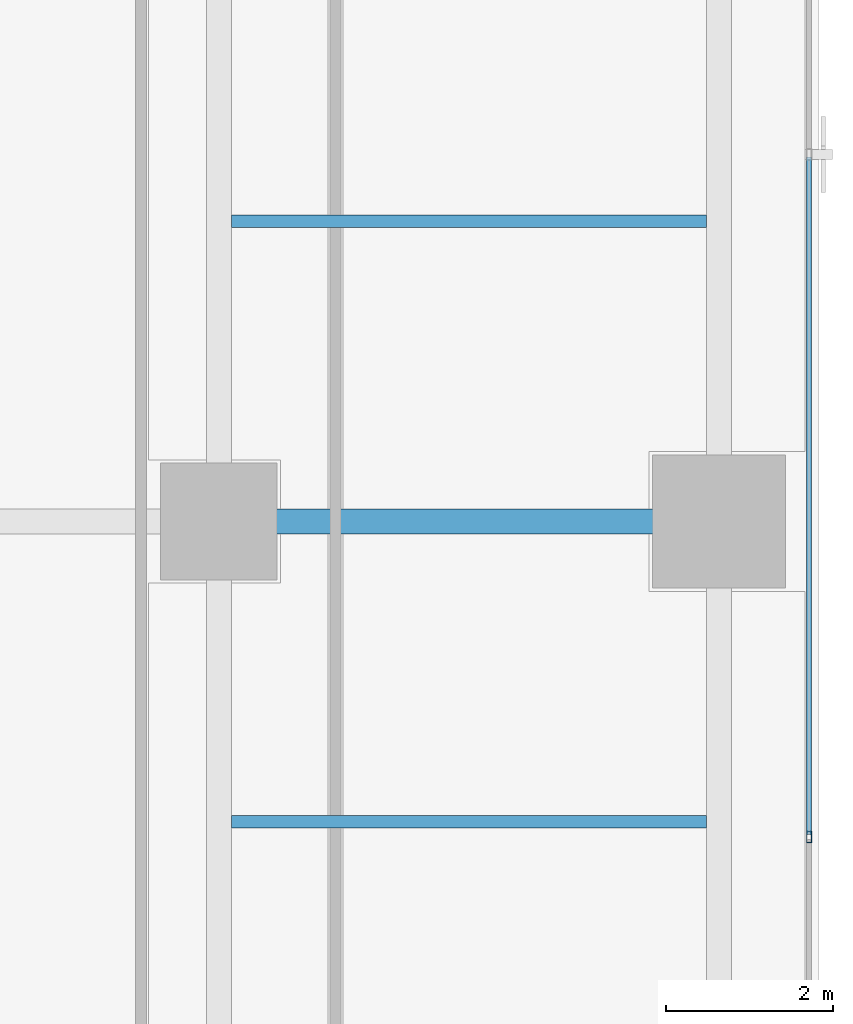
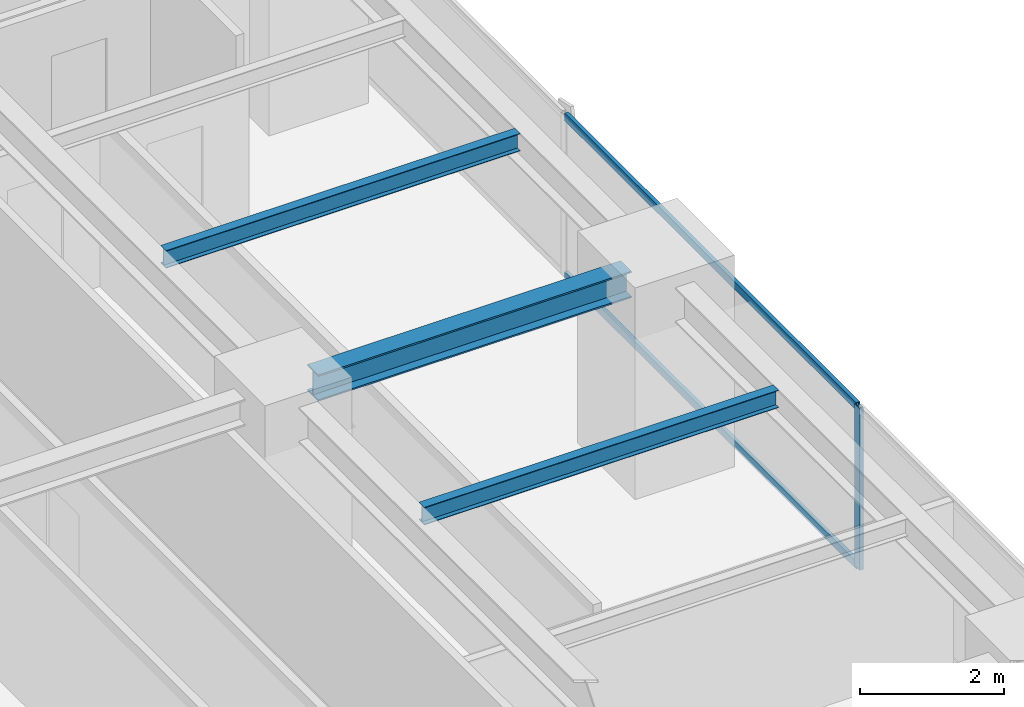
# One storey, part 15 of 30: 3 beams, 3 members, 1 element without a shape of its own.
"""IFC4 building model written with IfcOpenShell, lengths in metres."""

from ifc_helpers import new_model, si_unit, direction, frame, origin, origin_2d, place, context, subcontext, project, spatial, hollow_rectangle, i_section, extrude, source, transform, mapped, material, layer, layer_set, material_profile, profile_set, type_object, element, aggregate, save


model = new_model("IFC4")

# Units and contexts
model_context = context("Model", 3, precision=1e-05, world=origin(), true_north=direction((0.0, 1.0)))
body_context = subcontext(model_context, "Body", "Model", "MODEL_VIEW")
ifc_project = project(units=[si_unit("LENGTHUNIT", "METRE"), si_unit("AREAUNIT", "SQUARE_METRE"), si_unit("VOLUMEUNIT", "CUBIC_METRE"), si_unit("PLANEANGLEUNIT", "RADIAN"), si_unit("MASSUNIT", "GRAM", prefix="KILO")], contexts=[model_context])

# Site, building, storey
site_placement = place(None, origin())
site = spatial("IfcSite", under=ifc_project, at=site_placement, CompositionType="ELEMENT")
building_placement = place(site_placement, origin())
building = spatial("IfcBuilding", under=site, at=building_placement, Name="Sumidabori Civic Tower", CompositionType="ELEMENT")
storey_placement = place(building_placement, frame((0.0, 0.0, 196.39990234375)))
storey = spatial("IfcBuildingStorey", under=building, at=storey_placement, Name="L50", CompositionType="ELEMENT", Elevation=196.39990234375)

# Beams
ifc_material_1 = material(Name="Steel SN490", Category="steel")
ifc_material_profile_1 = material_profile(ifc_material_1, i_section(OverallWidth=0.14990234375, OverallDepth=0.300048828125, WebThickness=0.007080078125, FlangeThickness=0.0107421875, at=origin_2d()), Name="IPE 300")
ifc_profile_set_1 = profile_set([ifc_material_profile_1], Name="Steel SN490")
beam_type_1 = type_object("IfcBeamType", Name="BM-JST-300", PredefinedType="JOIST", material=ifc_profile_set_1)
shared_shape_1 = source(origin(), body_context, "Body", "SweptSolid", [
    extrude(i_section(OverallWidth=0.14990234375, OverallDepth=0.300048828125, WebThickness=0.007080078125, FlangeThickness=0.0107421875, at=origin_2d()), origin(), (0.0, 0.0, 1.0), 5.699951171875),
])
for number, where, z_axis, x_axis, name in (
    (1, (16.949951171875, -3.60009765625, 3.22998046875), (1.0, 0.0, 0.0), (0.0, 1.0, 0.0), "Outer Bay Floor Joist L50 JSTO-28"),
    (2, (16.949951171875, 3.60009765625, 3.22998046875), (1.0, 0.0, 0.0), (0.0, 1.0, 0.0), "Outer Bay Floor Joist L50 JSTO-30"),
):
    element("IfcBeam", number, at=place(storey_placement, frame(where, z_axis=z_axis, x_axis=x_axis)), inside=storey, type_object=beam_type_1, Name=name, PredefinedType="JOIST", context=body_context, shape_type="MappedRepresentation", body=[
        mapped(shared_shape_1, transform((0.0, 0.0, 0.0), x_axis=(1.0, 0.0, 0.0), y_axis=(0.0, 1.0, 0.0), z_axis=(0.0, 0.0, 1.0), scale=1.0)),
    ])
ifc_material_profile_2 = material_profile(ifc_material_1, i_section(OverallWidth=0.300048828125, OverallDepth=0.449951171875, WebThickness=0.013916015625, FlangeThickness=0.02587890625, at=origin_2d()), Name="HE 450 B")
ifc_profile_set_2 = profile_set([ifc_material_profile_2], Name="Steel SN490")
beam_type_2 = type_object("IfcBeamType", Name="BM-GIRD-450", PredefinedType="BEAM", material=ifc_profile_set_2)
shared_shape_2 = source(origin(), body_context, "Body", "SweptSolid", [
    extrude(i_section(OverallWidth=0.300048828125, OverallDepth=0.449951171875, WebThickness=0.013916015625, FlangeThickness=0.02587890625, at=origin_2d()), origin(), (0.0, 0.0, 1.0), 5.0400390625),
])
beam_placement = place(storey_placement, frame((17.280029296875, 0.0, 3.155029296875), z_axis=(1.0, 0.0, 0.0), x_axis=(0.0, 1.0, 0.0)))
element("IfcBeam", 3, at=beam_placement, inside=storey, type_object=beam_type_2, Name="Primary Girder L50 GX-08", PredefinedType="BEAM", context=body_context, shape_type="MappedRepresentation", body=[
    mapped(shared_shape_2, transform((0.0, 0.0, 0.0), x_axis=(1.0, 0.0, 0.0), y_axis=(0.0, 1.0, 0.0), z_axis=(0.0, 0.0, 1.0), scale=1.0)),
])

# Curtain wall, members
ifc_material_2 = material(Name="Anodised Bronze Aluminium AW-6063-T6", Category="aluminium")
ifc_layer = layer(ifc_material_2, 0.179931640625, Name="Anodised Bronze Aluminium AW-6063-T6")
ifc_layer_set = layer_set([ifc_layer], Name="Anodised Bronze Aluminium AW-6063-T6")
curtain_wall_type = type_object("IfcCurtainWallType", Name="CW-SYS-5", PredefinedType="NOTDEFINED", material=ifc_layer_set)
curtain_wall_placement = place(storey_placement, origin())
curtain_wall = element("IfcCurtainWall", 4, at=curtain_wall_placement, inside=storey, type_object=curtain_wall_type, Name="Curtain Wall CW:L50:R10", PredefinedType="NOTDEFINED")
ifc_material_profile_3 = material_profile(ifc_material_2, hollow_rectangle(XDim=0.06005859375, YDim=0.139892578125, WallThickness=0.0048828125, at=origin_2d()), Name="ALU MULLION 140x60")
ifc_profile_set_3 = profile_set([ifc_material_profile_3], Name="Anodised Bronze Aluminium AW-6063-T6")
member_type_1 = type_object("IfcMemberType", Name="CW-MUL-140", PredefinedType="MULLION", material=ifc_profile_set_3)
shared_shape_3 = source(origin(), body_context, "Body", "SweptSolid", [
    extrude(hollow_rectangle(XDim=0.06005859375, YDim=0.139892578125, WallThickness=0.0048828125, at=origin_2d()), origin(), (0.0, 0.0, 1.0), 2.760009765625),
])
member_1_placement = place(storey_placement, frame((23.8798828125, -3.784912109375, 0.0), z_axis=(0.0, 0.0, 1.0), x_axis=(-1.0, 0.0, 0.0)))
member_1 = element("IfcMember", 5, at=member_1_placement, type_object=member_type_1, Name="CW-5 mullion 2", PredefinedType="MULLION", context=body_context, shape_type="MappedRepresentation", body=[
    mapped(shared_shape_3, transform((0.0, 0.0, 0.0), x_axis=(1.0, 0.0, 0.0), y_axis=(0.0, 1.0, 0.0), z_axis=(0.0, 0.0, 1.0), scale=1.0)),
])
ifc_material_profile_4 = material_profile(ifc_material_2, hollow_rectangle(XDim=0.06005859375, YDim=0.1298828125, WallThickness=0.0048828125, at=origin_2d()), Name="ALU TRANSOM 130x60")
ifc_profile_set_4 = profile_set([ifc_material_profile_4], Name="Anodised Bronze Aluminium AW-6063-T6")
member_type_2 = type_object("IfcMemberType", Name="CW-TRN-130", PredefinedType="USERDEFINED", material=ifc_profile_set_4)
shared_shape_4 = source(origin(), body_context, "Body", "SweptSolid", [
    extrude(hollow_rectangle(XDim=0.06005859375, YDim=0.1298828125, WallThickness=0.0048828125, at=origin_2d()), origin(), (0.0, 0.0, 1.0), 8.125),
])
member_2_placement = place(storey_placement, frame((23.8798828125, -3.7548828125, 0.030029296875), z_axis=(0.0, 1.0, 0.0), x_axis=(-1.0, 0.0, 0.0)))
member_2 = element("IfcMember", 6, at=member_2_placement, type_object=member_type_2, Name="CW-5 transom 2.1", ObjectType="TRANSOM", PredefinedType="USERDEFINED", context=body_context, shape_type="MappedRepresentation", body=[
    mapped(shared_shape_4, transform((0.0, 0.0, 0.0), x_axis=(1.0, 0.0, 0.0), y_axis=(0.0, 1.0, 0.0), z_axis=(0.0, 0.0, 1.0), scale=1.0)),
])
member_3_placement = place(storey_placement, frame((23.8798828125, -3.7548828125, 2.72998046875), z_axis=(0.0, 1.0, 0.0), x_axis=(-1.0, 0.0, 0.0)))
member_3 = element("IfcMember", 7, at=member_3_placement, type_object=member_type_2, Name="CW-5 transom 2.2", ObjectType="TRANSOM", PredefinedType="USERDEFINED", context=body_context, shape_type="MappedRepresentation", body=[
    mapped(shared_shape_4, transform((0.0, 0.0, 0.0), x_axis=(1.0, 0.0, 0.0), y_axis=(0.0, 1.0, 0.0), z_axis=(0.0, 0.0, 1.0), scale=1.0)),
])
aggregate(curtain_wall, [member_1, member_2, member_3])

save(model, "model.ifc")
